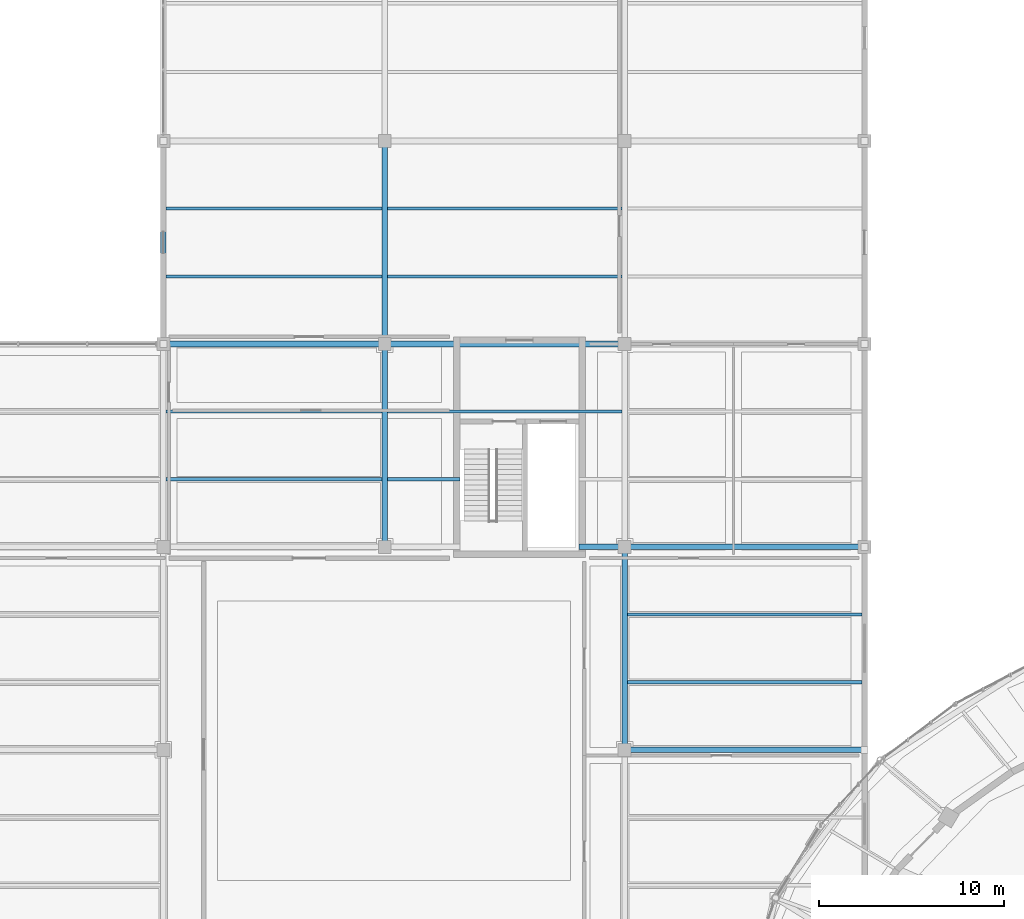
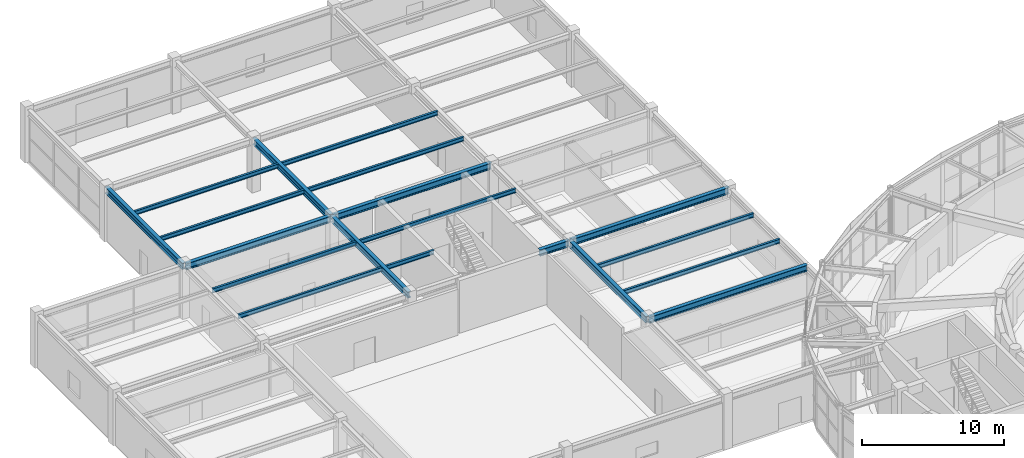
# One storey, part 50 of 108: 19 beams.
"""IFC4 building model written with IfcOpenShell, lengths in metres."""

from ifc_helpers import new_model, si_unit, direction, frame, origin, origin_2d, place, context, subcontext, project, spatial, i_section, extrude, material, material_profile, profile_set, type_object, element, save


model = new_model("IFC4")

# Units and contexts
model_context = context("Model", 3, precision=1e-05, world=origin(), true_north=direction((0.0, 1.0)))
body_context = subcontext(model_context, "Body", "Model", "MODEL_VIEW")
ifc_project = project(units=[si_unit("LENGTHUNIT", "METRE"), si_unit("AREAUNIT", "SQUARE_METRE"), si_unit("VOLUMEUNIT", "CUBIC_METRE"), si_unit("PLANEANGLEUNIT", "RADIAN"), si_unit("MASSUNIT", "GRAM", prefix="KILO")], contexts=[model_context])

# Site, building, storey
site_placement = place(None, origin())
site = spatial("IfcSite", under=ifc_project, at=site_placement, CompositionType="ELEMENT")
building_placement = place(site_placement, origin())
building = spatial("IfcBuilding", under=site, at=building_placement, Name="Tarnveldt Headland Concert Hall", CompositionType="ELEMENT")
storey_placement = place(building_placement, origin())
storey = spatial("IfcBuildingStorey", under=building, at=storey_placement, Name="L00", CompositionType="ELEMENT", Elevation=0.0)

# Beams
ifc_material = material(Name="Steel S355", Category="steel")
ifc_material_profile_1 = material_profile(ifc_material, i_section(OverallWidth=0.300048828125, OverallDepth=0.550048828125, WebThickness=0.014892578125, FlangeThickness=0.029052734375, FilletRadius=0.027099609375, at=origin_2d()), Name="HEB550", Category="steel")
ifc_profile_set_1 = profile_set([ifc_material_profile_1], Name="Steel S355")
beam_type_1 = type_object("IfcBeamType", Name="SB-HEB550", PredefinedType="BEAM", material=ifc_profile_set_1)
beam_1_placement = place(storey_placement, frame((44.56005859375, 71.0, 4.2451171875), z_axis=(1.0, 0.0, 0.0), x_axis=(0.0, 1.0, 0.0)))
element("IfcBeam", 1, at=beam_1_placement, inside=storey, type_object=beam_type_1, Name="Framing beam L00-611", PredefinedType="BEAM", context=body_context, shape_type="SweptSolid", body=[
    extrude(i_section(OverallWidth=0.300048828125, OverallDepth=0.550048828125, WebThickness=0.014892578125, FlangeThickness=0.029052734375, FilletRadius=0.027099609375, at=origin_2d()), origin(), (0.0, 0.0, 1.0), 12.8798828125),
])
beam_2_placement = place(storey_placement, frame((42.02001953125, 82.0, 4.2451171875), z_axis=(1.0, 0.0, 0.0), x_axis=(0.0, 1.0, 0.0)))
element("IfcBeam", 2, at=beam_2_placement, inside=storey, type_object=beam_type_1, Name="Framing beam L00-615", PredefinedType="BEAM", context=body_context, shape_type="SweptSolid", body=[
    extrude(i_section(OverallWidth=0.300048828125, OverallDepth=0.550048828125, WebThickness=0.014892578125, FlangeThickness=0.029052734375, FilletRadius=0.027099609375, at=origin_2d()), origin(), (0.0, 0.0, 1.0), 2.419921875),
])
beam_3_placement = place(storey_placement, frame((44.56005859375, 82.0, 4.2451171875), z_axis=(1.0, 0.0, 0.0), x_axis=(0.0, 1.0, 0.0)))
element("IfcBeam", 3, at=beam_3_placement, inside=storey, type_object=beam_type_1, Name="Framing beam L00-616", PredefinedType="BEAM", context=body_context, shape_type="SweptSolid", body=[
    extrude(i_section(OverallWidth=0.300048828125, OverallDepth=0.550048828125, WebThickness=0.014892578125, FlangeThickness=0.029052734375, FilletRadius=0.027099609375, at=origin_2d()), origin(), (0.0, 0.0, 1.0), 12.8798828125),
])
beam_4_placement = place(storey_placement, frame((19.56005859375, 93.0, 4.2451171875), z_axis=(1.0, 0.0, 0.0), x_axis=(0.0, 1.0, 0.0)))
element("IfcBeam", 4, at=beam_4_placement, inside=storey, type_object=beam_type_1, Name="Framing beam L00-618", PredefinedType="BEAM", context=body_context, shape_type="SweptSolid", body=[
    extrude(i_section(OverallWidth=0.300048828125, OverallDepth=0.550048828125, WebThickness=0.014892578125, FlangeThickness=0.029052734375, FilletRadius=0.027099609375, at=origin_2d()), origin(), (0.0, 0.0, 1.0), 11.8798828125),
])
beam_5_placement = place(storey_placement, frame((31.56005859375, 93.0, 4.2451171875), z_axis=(1.0, 0.0, 0.0), x_axis=(0.0, 1.0, 0.0)))
element("IfcBeam", 5, at=beam_5_placement, inside=storey, type_object=beam_type_1, Name="Framing beam L00-619", PredefinedType="BEAM", context=body_context, shape_type="SweptSolid", body=[
    extrude(i_section(OverallWidth=0.300048828125, OverallDepth=0.550048828125, WebThickness=0.014892578125, FlangeThickness=0.029052734375, FilletRadius=0.027099609375, at=origin_2d()), origin(), (0.0, 0.0, 1.0), 12.8798828125),
])
for number, where, z_axis, x_axis, name in (
    (6, (19.5, 93.06005859375, 4.2451171875), (0.0, 1.0, 0.0), (-1.0, 0.0, 0.0), "Framing beam L00-641"),
    (7, (31.5, 82.06005859375, 4.2451171875), (0.0, 1.0, 0.0), (-1.0, 0.0, 0.0), "Framing beam L00-647"),
    (8, (31.5, 93.06005859375, 4.2451171875), (0.0, 1.0, 0.0), (-1.0, 0.0, 0.0), "Framing beam L00-651"),
    (9, (44.5, 71.06005859375, 4.2451171875), (0.0, 1.0, 0.0), (-1.0, 0.0, 0.0), "Framing beam L00-660"),
):
    element("IfcBeam", number, at=place(storey_placement, frame(where, z_axis=z_axis, x_axis=x_axis)), inside=storey, type_object=beam_type_1, Name=name, PredefinedType="BEAM", context=body_context, shape_type="SweptSolid", body=[
        extrude(i_section(OverallWidth=0.300048828125, OverallDepth=0.550048828125, WebThickness=0.014892578125, FlangeThickness=0.029052734375, FilletRadius=0.027099609375, at=origin_2d()), origin(), (0.0, 0.0, 1.0), 10.8798828125),
    ])
ifc_material_profile_2 = material_profile(ifc_material, i_section(OverallWidth=0.169921875, OverallDepth=0.360107421875, WebThickness=0.008056640625, FlangeThickness=0.0126953125, FilletRadius=0.01806640625, at=origin_2d()), Name="IPE360", Category="steel")
ifc_profile_set_2 = profile_set([ifc_material_profile_2], Name="Steel S355")
beam_type_2 = type_object("IfcBeamType", Name="SB-IPE360", PredefinedType="JOIST", material=ifc_profile_set_2)
for number, where, z_axis, x_axis, name in (
    (10, (19.64990234375, 85.6669921875, 4.340087890625), (1.0, 0.0, 0.0), (0.0, 1.0, 0.0), "Framing beam L00-639"),
    (11, (19.64990234375, 89.3330078125, 4.340087890625), (1.0, 0.0, 0.0), (0.0, 1.0, 0.0), "Framing beam L00-640"),
    (12, (19.64990234375, 96.6669921875, 4.340087890625), (1.0, 0.0, 0.0), (0.0, 1.0, 0.0), "Framing beam L00-642"),
    (13, (19.64990234375, 100.3330078125, 4.340087890625), (1.0, 0.0, 0.0), (0.0, 1.0, 0.0), "Framing beam L00-643"),
):
    element("IfcBeam", number, at=place(storey_placement, frame(where, z_axis=z_axis, x_axis=x_axis)), inside=storey, type_object=beam_type_2, Name=name, PredefinedType="JOIST", context=body_context, shape_type="SweptSolid", body=[
        extrude(i_section(OverallWidth=0.169921875, OverallDepth=0.360107421875, WebThickness=0.008056640625, FlangeThickness=0.0126953125, FilletRadius=0.01806640625, at=origin_2d()), origin(), (0.0, 0.0, 1.0), 11.7001953125),
    ])
beam_6_placement = place(storey_placement, frame((31.64990234375, 85.6669921875, 4.340087890625), z_axis=(1.0, 0.0, 0.0), x_axis=(0.0, 1.0, 0.0)))
element("IfcBeam", 14, at=beam_6_placement, inside=storey, type_object=beam_type_2, Name="Framing beam L00-648", PredefinedType="JOIST", context=body_context, shape_type="SweptSolid", body=[
    extrude(i_section(OverallWidth=0.169921875, OverallDepth=0.360107421875, WebThickness=0.008056640625, FlangeThickness=0.0126953125, FilletRadius=0.01806640625, at=origin_2d()), origin(), (0.0, 0.0, 1.0), 3.93017578125),
])
for number, where, z_axis, x_axis, name in (
    (15, (31.64990234375, 89.3330078125, 4.340087890625), (1.0, 0.0, 0.0), (0.0, 1.0, 0.0), "Framing beam L00-650"),
    (16, (31.64990234375, 96.6669921875, 4.340087890625), (1.0, 0.0, 0.0), (0.0, 1.0, 0.0), "Framing beam L00-652"),
    (17, (31.64990234375, 100.3330078125, 4.340087890625), (1.0, 0.0, 0.0), (0.0, 1.0, 0.0), "Framing beam L00-653"),
    (18, (44.64990234375, 74.6669921875, 4.340087890625), (1.0, 0.0, 0.0), (0.0, 1.0, 0.0), "Framing beam L00-661"),
    (19, (44.64990234375, 78.3330078125, 4.340087890625), (1.0, 0.0, 0.0), (0.0, 1.0, 0.0), "Framing beam L00-662"),
):
    element("IfcBeam", number, at=place(storey_placement, frame(where, z_axis=z_axis, x_axis=x_axis)), inside=storey, type_object=beam_type_2, Name=name, PredefinedType="JOIST", context=body_context, shape_type="SweptSolid", body=[
        extrude(i_section(OverallWidth=0.169921875, OverallDepth=0.360107421875, WebThickness=0.008056640625, FlangeThickness=0.0126953125, FilletRadius=0.01806640625, at=origin_2d()), origin(), (0.0, 0.0, 1.0), 12.7001953125),
    ])

save(model, "model.ifc")
